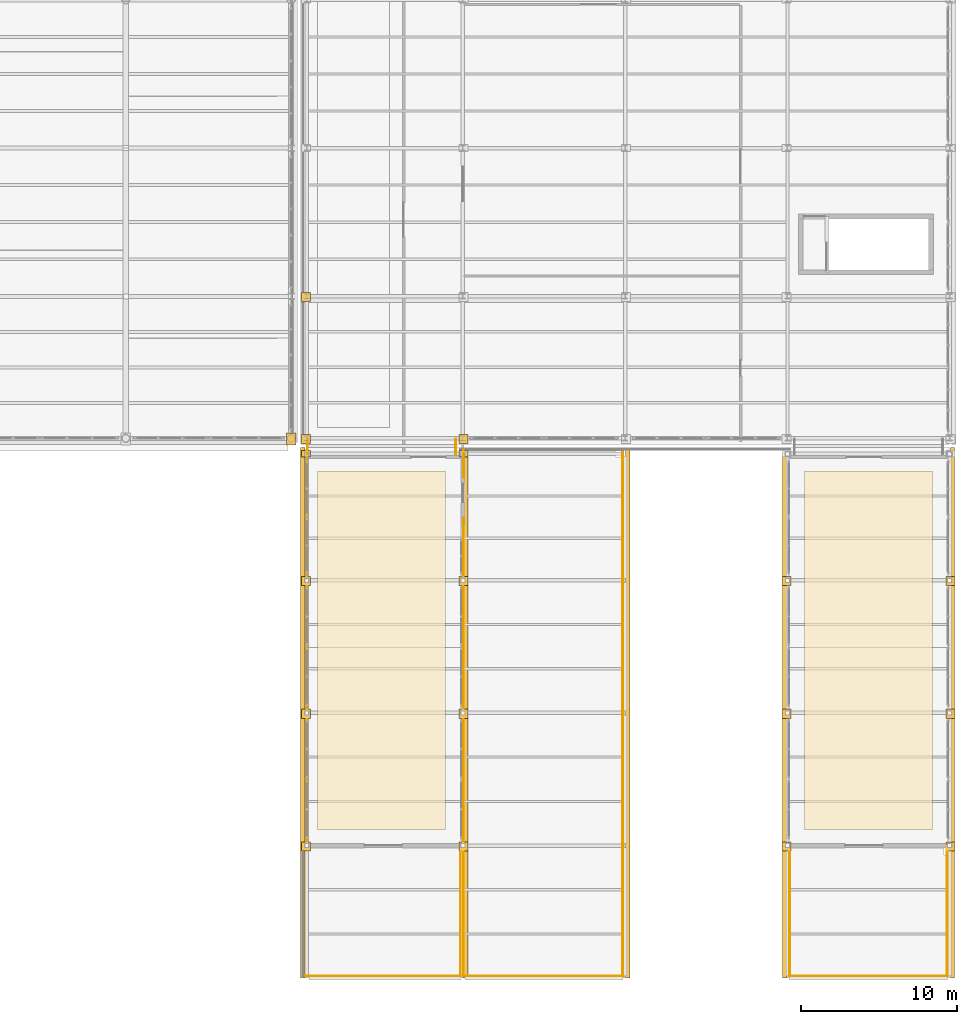
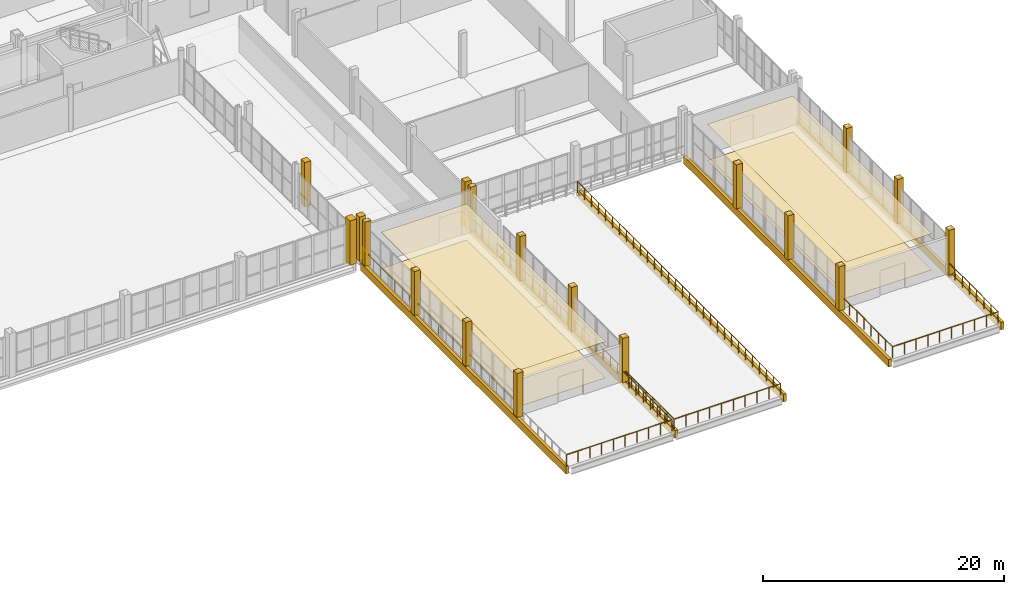
# One storey, part 150 of 156: 27 coverings, 12 railings.
"""IFC4 building model written with IfcOpenShell, lengths in metres."""

from ifc_helpers import new_model, si_unit, direction, frame, frame_2d, origin, origin_2d, place, context, subcontext, project, spatial, polyline, rectangle, circle, outline, extrude, material, layer, layer_set, type_object, element, save


model = new_model("IFC4")

# Units and contexts
model_context = context("Model", 3, precision=1e-05, world=origin(), true_north=direction((0.0, 1.0)))
body_context = subcontext(model_context, "Body", "Model", "MODEL_VIEW")
ifc_project = project(units=[si_unit("LENGTHUNIT", "METRE"), si_unit("AREAUNIT", "SQUARE_METRE"), si_unit("VOLUMEUNIT", "CUBIC_METRE"), si_unit("PLANEANGLEUNIT", "RADIAN"), si_unit("MASSUNIT", "GRAM", prefix="KILO")], contexts=[model_context])

# Site, building, storey
site_placement = place(None, origin())
site = spatial("IfcSite", under=ifc_project, at=site_placement, CompositionType="ELEMENT")
building_placement = place(site_placement, origin())
building = spatial("IfcBuilding", under=site, at=building_placement, Name="Caurita Quay Ferry Terminal", CompositionType="ELEMENT")
storey_placement = place(building_placement, frame((0.0, 0.0, 5.39990234375)))
storey = spatial("IfcBuildingStorey", under=building, at=storey_placement, Name="L01", CompositionType="ELEMENT", Elevation=5.39990234375)

# Coverings
ifc_material_1 = material(Name="Acoustic mineral fibre tile", Category="finish")
ifc_layer_1 = layer(ifc_material_1, 0.02001953125, Name="Acoustic mineral-fibre suspended ceiling 20 mm")
ifc_layer_set_1 = layer_set([ifc_layer_1], Name="Acoustic mineral fibre tile")
covering_type_1 = type_object("IfcCoveringType", Name="COV-CEIL-020", PredefinedType="CEILING", material=ifc_layer_set_1)
covering_1_placement = place(storey_placement, frame((0.0, 0.0, 3.670166015625)))
element("IfcCovering", 1, at=covering_1_placement, inside=storey, type_object=covering_type_1, Name="Berth 1 Enclosed Passenger Boarding Bridge Acoustic Ceiling", PredefinedType="CEILING", context=body_context, shape_type="SweptSolid", body=[
    extrude(outline(polyline([(133.5, 9.5), (141.699951171875, 9.5), (141.699951171875, 32.5), (133.5, 32.5), (133.5, 9.5)])), origin(), (0.0, 0.0, 1.0), 0.02001953125),
])
covering_2_placement = place(storey_placement, frame((0.0, 0.0, 3.670166015625)))
element("IfcCovering", 2, at=covering_2_placement, inside=storey, type_object=covering_type_1, Name="Berth 2 Enclosed Passenger Boarding Bridge Acoustic Ceiling", PredefinedType="CEILING", context=body_context, shape_type="SweptSolid", body=[
    extrude(outline(polyline([(164.699951171875, 9.5), (172.89990234375, 9.5), (172.89990234375, 32.5), (164.699951171875, 32.5), (164.699951171875, 9.5)])), origin(), (0.0, 0.0, 1.0), 0.02001953125),
])
ifc_material_2 = material(Name="Coral stone ashlar cladding", Category="masonry")
ifc_layer_2 = layer(ifc_material_2, 0.239990234375, Name="Classical coral-stone entablature and cornice moulding 240 mm")
ifc_layer_set_2 = layer_set([ifc_layer_2], Name="Coral stone ashlar cladding")
covering_type_2 = type_object("IfcCoveringType", Name="COV-ENT-MLD", PredefinedType="MOLDING", material=ifc_layer_set_2)
for number, where, z_axis, x_axis, name in (
    (3, (132.5400390625, 34.0, -0.699951171875), (0.0, 0.0, 1.0), (0.0, -1.0, 0.0), "L01 Classical Entablature Cornice 053"),
    (4, (142.97998046875, 0.0, -0.699951171875), (0.0, 0.0, 1.0), (0.0, 1.0, 0.0), "L01 Classical Entablature Cornice 054"),
    (5, (153.3798828125, 0.0, -0.699951171875), (0.0, 0.0, 1.0), (0.0, 1.0, 0.0), "L01 Classical Entablature Cornice 055"),
    (6, (163.419921875, 34.0, -0.699951171875), (0.0, 0.0, 1.0), (0.0, -1.0, 0.0), "L01 Classical Entablature Cornice 056"),
    (7, (174.179931640625, 0.0, -0.699951171875), (0.0, 0.0, 1.0), (0.0, 1.0, 0.0), "L01 Classical Entablature Cornice 057"),
):
    element("IfcCovering", number, at=place(storey_placement, frame(where, z_axis=z_axis, x_axis=x_axis)), inside=storey, type_object=covering_type_2, Name=name, PredefinedType="MOLDING", context=body_context, shape_type="SweptSolid", body=[
        extrude(rectangle(XDim=34.0, YDim=0.280029296875, at=frame_2d((17.0, 0.0))), origin(), (0.0, 0.0, 1.0), 0.760009765625),
    ])
ifc_material_3 = material(Name="Polished marine terrazzo tile", Category="finish")
ifc_layer_3 = layer(ifc_material_3, 0.02490234375, Name="Polished marine terrazzo floor finish 25 mm")
ifc_layer_set_3 = layer_set([ifc_layer_3], Name="Polished marine terrazzo tile")
covering_type_3 = type_object("IfcCoveringType", Name="COV-FLR-025", PredefinedType="FLOORING", material=ifc_layer_set_3)
covering_3_placement = place(storey_placement, origin())
element("IfcCovering", 8, at=covering_3_placement, inside=storey, type_object=covering_type_3, Name="Berth 1 Enclosed Passenger Boarding Bridge Terrazzo Flooring", PredefinedType="FLOORING", context=body_context, shape_type="SweptSolid", body=[
    extrude(outline(polyline([(133.5, 9.5), (141.699951171875, 9.5), (141.699951171875, 32.5), (133.5, 32.5), (133.5, 9.5)])), origin(), (0.0, 0.0, 1.0), 0.025146484375),
])
covering_4_placement = place(storey_placement, origin())
element("IfcCovering", 9, at=covering_4_placement, inside=storey, type_object=covering_type_3, Name="Berth 2 Enclosed Passenger Boarding Bridge Terrazzo Flooring", PredefinedType="FLOORING", context=body_context, shape_type="SweptSolid", body=[
    extrude(outline(polyline([(164.699951171875, 9.5), (172.89990234375, 9.5), (172.89990234375, 32.5), (164.699951171875, 32.5), (164.699951171875, 9.5)])), origin(), (0.0, 0.0, 1.0), 0.025146484375),
])
ifc_material_4 = material(Name="Warm-white lime stucco masonry", Category="masonry")
ifc_layer_4 = layer(ifc_material_4, 0.179931640625, Name="Classical engaged lime-stucco facade pilaster cladding 180 mm")
ifc_layer_set_4 = layer_set([ifc_layer_4], Name="Warm-white lime stucco masonry")
covering_type_4 = type_object("IfcCoveringType", Name="COV-PIL-CLD", PredefinedType="CLADDING", material=ifc_layer_set_4)
covering_5_placement = place(storey_placement, frame((131.800048828125, 34.550048828125, 0.0), z_axis=(0.0, 0.0, 1.0), x_axis=(1.0, 0.0, 0.0)))
element("IfcCovering", 10, at=covering_5_placement, inside=storey, type_object=covering_type_4, Name="L01 Classical Engaged Pilaster 0111", PredefinedType="CLADDING", context=body_context, shape_type="SweptSolid", body=[
    extrude(rectangle(XDim=0.6279296875, YDim=0.7880859375, at=origin_2d()), origin(), (0.0, 0.0, 1.0), 4.5),
])
for number, where, z_axis, x_axis, name in (
    (11, (132.75, 34.550048828125, 0.0), (0.0, 0.0, 1.0), (1.0, 0.0, 0.0), "L01 Classical Engaged Pilaster 0118"),
    (12, (132.75, 43.64990234375, 0.0), (0.0, 0.0, 1.0), (1.0, 0.0, 0.0), "L01 Classical Engaged Pilaster 0120"),
):
    element("IfcCovering", number, at=place(storey_placement, frame(where, z_axis=z_axis, x_axis=x_axis)), inside=storey, type_object=covering_type_4, Name=name, PredefinedType="CLADDING", context=body_context, shape_type="SweptSolid", body=[
        extrude(rectangle(XDim=0.584716796875, YDim=0.58740234375, at=origin_2d()), origin(), (0.0, 0.0, 1.0), 4.5),
    ])
for number, where, z_axis, x_axis, name in (
    (13, (132.75, 8.449951171875, 0.0), (0.0, 0.0, 1.0), (1.0, 0.0, 0.0), "L01 Classical Engaged Pilaster 0129"),
    (14, (132.75, 16.949951171875, 0.0), (0.0, 0.0, 1.0), (1.0, 0.0, 0.0), "L01 Classical Engaged Pilaster 0131"),
    (15, (132.75, 25.449951171875, 0.0), (0.0, 0.0, 1.0), (1.0, 0.0, 0.0), "L01 Classical Engaged Pilaster 0133"),
):
    element("IfcCovering", number, at=place(storey_placement, frame(where, z_axis=z_axis, x_axis=x_axis)), inside=storey, type_object=covering_type_4, Name=name, PredefinedType="CLADDING", context=body_context, shape_type="SweptSolid", body=[
        extrude(rectangle(XDim=0.584716796875, YDim=0.584716796875, at=origin_2d()), origin(), (0.0, 0.0, 1.0), 4.5),
    ])
covering_6_placement = place(storey_placement, frame((132.75, 33.60009765625, 0.0), z_axis=(0.0, 0.0, 1.0), x_axis=(1.0, 0.0, 0.0)))
element("IfcCovering", 16, at=covering_6_placement, inside=storey, type_object=covering_type_4, Name="L01 Classical Engaged Pilaster 0135", PredefinedType="CLADDING", context=body_context, shape_type="SweptSolid", body=[
    extrude(rectangle(XDim=0.584716796875, YDim=0.4248046875, at=origin_2d()), origin(), (0.0, 0.0, 1.0), 4.5),
])
covering_7_placement = place(storey_placement, frame((142.85009765625, 34.550048828125, 0.0), z_axis=(0.0, 0.0, 1.0), x_axis=(1.0, 0.0, 0.0)))
element("IfcCovering", 17, at=covering_7_placement, inside=storey, type_object=covering_type_4, Name="L01 Classical Engaged Pilaster 0137", PredefinedType="CLADDING", context=body_context, shape_type="SweptSolid", body=[
    extrude(rectangle(XDim=0.584716796875, YDim=0.58740234375, at=origin_2d()), origin(), (0.0, 0.0, 1.0), 4.5),
])
for number, where, z_axis, x_axis, name in (
    (18, (142.85009765625, 8.449951171875, 0.0), (0.0, 0.0, 1.0), (1.0, 0.0, 0.0), "L01 Classical Engaged Pilaster 0148"),
    (19, (142.85009765625, 16.949951171875, 0.0), (0.0, 0.0, 1.0), (1.0, 0.0, 0.0), "L01 Classical Engaged Pilaster 0150"),
    (20, (142.85009765625, 25.449951171875, 0.0), (0.0, 0.0, 1.0), (1.0, 0.0, 0.0), "L01 Classical Engaged Pilaster 0152"),
):
    element("IfcCovering", number, at=place(storey_placement, frame(where, z_axis=z_axis, x_axis=x_axis)), inside=storey, type_object=covering_type_4, Name=name, PredefinedType="CLADDING", context=body_context, shape_type="SweptSolid", body=[
        extrude(rectangle(XDim=0.584716796875, YDim=0.584716796875, at=origin_2d()), origin(), (0.0, 0.0, 1.0), 4.5),
    ])
covering_8_placement = place(storey_placement, frame((142.85009765625, 33.60009765625, 0.0), z_axis=(0.0, 0.0, 1.0), x_axis=(1.0, 0.0, 0.0)))
element("IfcCovering", 21, at=covering_8_placement, inside=storey, type_object=covering_type_4, Name="L01 Classical Engaged Pilaster 0154", PredefinedType="CLADDING", context=body_context, shape_type="SweptSolid", body=[
    extrude(rectangle(XDim=0.584716796875, YDim=0.4248046875, at=origin_2d()), origin(), (0.0, 0.0, 1.0), 4.5),
])
for number, where, z_axis, x_axis, name in (
    (22, (163.550048828125, 8.449951171875, 0.0), (0.0, 0.0, 1.0), (1.0, 0.0, 0.0), "L01 Classical Engaged Pilaster 0182"),
    (23, (163.550048828125, 16.949951171875, 0.0), (0.0, 0.0, 1.0), (1.0, 0.0, 0.0), "L01 Classical Engaged Pilaster 0184"),
    (24, (163.550048828125, 25.449951171875, 0.0), (0.0, 0.0, 1.0), (1.0, 0.0, 0.0), "L01 Classical Engaged Pilaster 0186"),
    (25, (174.050048828125, 8.449951171875, 0.0), (0.0, 0.0, 1.0), (1.0, 0.0, 0.0), "L01 Classical Engaged Pilaster 0201"),
    (26, (174.050048828125, 16.949951171875, 0.0), (0.0, 0.0, 1.0), (1.0, 0.0, 0.0), "L01 Classical Engaged Pilaster 0203"),
    (27, (174.050048828125, 25.449951171875, 0.0), (0.0, 0.0, 1.0), (1.0, 0.0, 0.0), "L01 Classical Engaged Pilaster 0205"),
):
    element("IfcCovering", number, at=place(storey_placement, frame(where, z_axis=z_axis, x_axis=x_axis)), inside=storey, type_object=covering_type_4, Name=name, PredefinedType="CLADDING", context=body_context, shape_type="SweptSolid", body=[
        extrude(rectangle(XDim=0.584716796875, YDim=0.584716796875, at=origin_2d()), origin(), (0.0, 0.0, 1.0), 4.5),
    ])

# Railings
ifc_material_5 = material(Name="Bronze architectural metalwork", Category="metal")
railing_type = type_object("IfcRailingType", Name="RL-REJA-115", PredefinedType="BALUSTRADE", material=ifc_material_5)
railing_1_placement = place(storey_placement, frame((132.550048828125, 0.14990234375, 0.0)))
element("IfcRailing", 28, at=railing_1_placement, inside=storey, type_object=railing_type, Name="Berth 1 Observation Deck Balustrade (023)", PredefinedType="BALUSTRADE", context=body_context, shape_type="SweptSolid", body=[
    extrude(circle(Radius=0.02392578125, at=origin_2d()), frame((0.0, 0.0, 1.1259765625), z_axis=(1.0, 0.0, 0.0), x_axis=(0.0, 1.0, 0.0)), (0.0, 0.0, 1.0), 10.099853515625),
    extrude(circle(Radius=0.02099609375, at=origin_2d()), origin(), (0.0, 0.0, 1.0), 1.101806640625),
    extrude(circle(Radius=0.02099609375, at=origin_2d()), frame((1.122314453125, 0.0, 0.0)), (0.0, 0.0, 1.0), 1.101806640625),
    extrude(circle(Radius=0.02099609375, at=origin_2d()), frame((2.244384765625, 0.0, 0.0)), (0.0, 0.0, 1.0), 1.101806640625),
    extrude(circle(Radius=0.02099609375, at=origin_2d()), frame((3.36669921875, 0.0, 0.0)), (0.0, 0.0, 1.0), 1.101806640625),
    extrude(circle(Radius=0.02099609375, at=origin_2d()), frame((4.48876953125, 0.0, 0.0)), (0.0, 0.0, 1.0), 1.101806640625),
    extrude(circle(Radius=0.02099609375, at=origin_2d()), frame((5.611083984375, 0.0, 0.0)), (0.0, 0.0, 1.0), 1.101806640625),
    extrude(circle(Radius=0.02099609375, at=origin_2d()), frame((6.733154296875, 0.0, 0.0)), (0.0, 0.0, 1.0), 1.101806640625),
    extrude(circle(Radius=0.02099609375, at=origin_2d()), frame((7.85546875, 0.0, 0.0)), (0.0, 0.0, 1.0), 1.101806640625),
    extrude(circle(Radius=0.02099609375, at=origin_2d()), frame((8.9775390625, 0.0, 0.0)), (0.0, 0.0, 1.0), 1.101806640625),
    extrude(circle(Radius=0.02099609375, at=origin_2d()), frame((10.099853515625, 0.0, 0.0)), (0.0, 0.0, 1.0), 1.101806640625),
])
railing_2_placement = place(storey_placement, frame((142.64990234375, 0.14990234375, 0.0)))
element("IfcRailing", 29, at=railing_2_placement, inside=storey, type_object=railing_type, Name="Berth 1 Observation Deck Balustrade (024)", PredefinedType="BALUSTRADE", context=body_context, shape_type="SweptSolid", body=[
    extrude(circle(Radius=0.02392578125, at=origin_2d()), frame((0.0, 0.0, 1.1259765625), z_axis=(0.0, 1.0, 0.0), x_axis=(-1.0, 0.0, 0.0)), (0.0, 0.0, 1.0), 8.300048828125),
    extrude(circle(Radius=0.02099609375, at=origin_2d()), origin(), (0.0, 0.0, 1.0), 1.101806640625),
    extrude(circle(Radius=0.02099609375, at=origin_2d()), frame((0.0, 1.185791015625, 0.0)), (0.0, 0.0, 1.0), 1.101806640625),
    extrude(circle(Radius=0.02099609375, at=origin_2d()), frame((0.0, 2.371337890625, 0.0)), (0.0, 0.0, 1.0), 1.101806640625),
    extrude(circle(Radius=0.02099609375, at=origin_2d()), frame((0.0, 3.55712890625, 0.0)), (0.0, 0.0, 1.0), 1.101806640625),
    extrude(circle(Radius=0.02099609375, at=origin_2d()), frame((0.0, 4.742919921875, 0.0)), (0.0, 0.0, 1.0), 1.101806640625),
    extrude(circle(Radius=0.02099609375, at=origin_2d()), frame((0.0, 5.9287109375, 0.0)), (0.0, 0.0, 1.0), 1.101806640625),
    extrude(circle(Radius=0.02099609375, at=origin_2d()), frame((0.0, 7.1142578125, 0.0)), (0.0, 0.0, 1.0), 1.101806640625),
    extrude(circle(Radius=0.02099609375, at=origin_2d()), frame((0.0, 8.300048828125, 0.0)), (0.0, 0.0, 1.0), 1.101806640625),
])
railing_3_placement = place(storey_placement, frame((163.75, 8.449951171875, 0.0)))
element("IfcRailing", 30, at=railing_3_placement, inside=storey, type_object=railing_type, Name="Berth 2 Observation Deck Balustrade (025)", PredefinedType="BALUSTRADE", context=body_context, shape_type="SweptSolid", body=[
    extrude(circle(Radius=0.02392578125, at=origin_2d()), frame((0.0, 0.0, 1.1259765625), z_axis=(0.0, -1.0, 0.0), x_axis=(1.0, 0.0, 0.0)), (0.0, 0.0, 1.0), 8.300048828125),
    extrude(circle(Radius=0.02099609375, at=origin_2d()), origin(), (0.0, 0.0, 1.0), 1.101806640625),
    extrude(circle(Radius=0.02099609375, at=origin_2d()), frame((0.0, -1.185791015625, 0.0)), (0.0, 0.0, 1.0), 1.101806640625),
    extrude(circle(Radius=0.02099609375, at=origin_2d()), frame((0.0, -2.371337890625, 0.0)), (0.0, 0.0, 1.0), 1.101806640625),
    extrude(circle(Radius=0.02099609375, at=origin_2d()), frame((0.0, -3.55712890625, 0.0)), (0.0, 0.0, 1.0), 1.101806640625),
    extrude(circle(Radius=0.02099609375, at=origin_2d()), frame((0.0, -4.742919921875, 0.0)), (0.0, 0.0, 1.0), 1.101806640625),
    extrude(circle(Radius=0.02099609375, at=origin_2d()), frame((0.0, -5.9287109375, 0.0)), (0.0, 0.0, 1.0), 1.101806640625),
    extrude(circle(Radius=0.02099609375, at=origin_2d()), frame((0.0, -7.1142578125, 0.0)), (0.0, 0.0, 1.0), 1.101806640625),
    extrude(circle(Radius=0.02099609375, at=origin_2d()), frame((0.0, -8.300048828125, 0.0)), (0.0, 0.0, 1.0), 1.101806640625),
])
railing_4_placement = place(storey_placement, frame((163.75, 0.14990234375, 0.0)))
element("IfcRailing", 31, at=railing_4_placement, inside=storey, type_object=railing_type, Name="Berth 2 Observation Deck Balustrade (026)", PredefinedType="BALUSTRADE", context=body_context, shape_type="SweptSolid", body=[
    extrude(circle(Radius=0.02392578125, at=origin_2d()), frame((0.0, 0.0, 1.1259765625), z_axis=(1.0, 0.0, 0.0), x_axis=(0.0, 1.0, 0.0)), (0.0, 0.0, 1.0), 10.10009765625),
    extrude(circle(Radius=0.02099609375, at=origin_2d()), origin(), (0.0, 0.0, 1.0), 1.101806640625),
    extrude(circle(Radius=0.02099609375, at=origin_2d()), frame((1.122314453125, 0.0, 0.0)), (0.0, 0.0, 1.0), 1.101806640625),
    extrude(circle(Radius=0.02099609375, at=origin_2d()), frame((2.244384765625, 0.0, 0.0)), (0.0, 0.0, 1.0), 1.101806640625),
    extrude(circle(Radius=0.02099609375, at=origin_2d()), frame((3.36669921875, 0.0, 0.0)), (0.0, 0.0, 1.0), 1.101806640625),
    extrude(circle(Radius=0.02099609375, at=origin_2d()), frame((4.489013671875, 0.0, 0.0)), (0.0, 0.0, 1.0), 1.101806640625),
    extrude(circle(Radius=0.02099609375, at=origin_2d()), frame((5.611083984375, 0.0, 0.0)), (0.0, 0.0, 1.0), 1.101806640625),
    extrude(circle(Radius=0.02099609375, at=origin_2d()), frame((6.7333984375, 0.0, 0.0)), (0.0, 0.0, 1.0), 1.101806640625),
    extrude(circle(Radius=0.02099609375, at=origin_2d()), frame((7.855712890625, 0.0, 0.0)), (0.0, 0.0, 1.0), 1.101806640625),
    extrude(circle(Radius=0.02099609375, at=origin_2d()), frame((8.977783203125, 0.0, 0.0)), (0.0, 0.0, 1.0), 1.101806640625),
    extrude(circle(Radius=0.02099609375, at=origin_2d()), frame((10.10009765625, 0.0, 0.0)), (0.0, 0.0, 1.0), 1.101806640625),
])
railing_5_placement = place(storey_placement, frame((173.85009765625, 0.14990234375, 0.0)))
element("IfcRailing", 32, at=railing_5_placement, inside=storey, type_object=railing_type, Name="Berth 2 Observation Deck Balustrade (027)", PredefinedType="BALUSTRADE", context=body_context, shape_type="SweptSolid", body=[
    extrude(circle(Radius=0.02392578125, at=origin_2d()), frame((0.0, 0.0, 1.1259765625), z_axis=(0.0, 1.0, 0.0), x_axis=(-1.0, 0.0, 0.0)), (0.0, 0.0, 1.0), 8.300048828125),
    extrude(circle(Radius=0.02099609375, at=origin_2d()), origin(), (0.0, 0.0, 1.0), 1.101806640625),
    extrude(circle(Radius=0.02099609375, at=origin_2d()), frame((0.0, 1.185791015625, 0.0)), (0.0, 0.0, 1.0), 1.101806640625),
    extrude(circle(Radius=0.02099609375, at=origin_2d()), frame((0.0, 2.371337890625, 0.0)), (0.0, 0.0, 1.0), 1.101806640625),
    extrude(circle(Radius=0.02099609375, at=origin_2d()), frame((0.0, 3.55712890625, 0.0)), (0.0, 0.0, 1.0), 1.101806640625),
    extrude(circle(Radius=0.02099609375, at=origin_2d()), frame((0.0, 4.742919921875, 0.0)), (0.0, 0.0, 1.0), 1.101806640625),
    extrude(circle(Radius=0.02099609375, at=origin_2d()), frame((0.0, 5.9287109375, 0.0)), (0.0, 0.0, 1.0), 1.101806640625),
    extrude(circle(Radius=0.02099609375, at=origin_2d()), frame((0.0, 7.1142578125, 0.0)), (0.0, 0.0, 1.0), 1.101806640625),
    extrude(circle(Radius=0.02099609375, at=origin_2d()), frame((0.0, 8.300048828125, 0.0)), (0.0, 0.0, 1.0), 1.101806640625),
])
railing_6_placement = place(storey_placement, frame((142.85009765625, 29.5, 0.0)))
element("IfcRailing", 33, at=railing_6_placement, inside=storey, type_object=railing_type, Name="Berth 1 Side Deck Balustrade (028)", PredefinedType="BALUSTRADE", context=body_context, shape_type="SweptSolid", body=[
    extrude(circle(Radius=0.02392578125, at=origin_2d()), frame((0.0, 0.0, 1.1259765625), z_axis=(0.0, -1.0, 0.0), x_axis=(1.0, 0.0, 0.0)), (0.0, 0.0, 1.0), 29.35009765625),
    extrude(circle(Radius=0.02099609375, at=origin_2d()), origin(), (0.0, 0.0, 1.0), 1.101806640625),
    extrude(circle(Radius=0.02099609375, at=origin_2d()), frame((0.0, -1.174072265625, 0.0)), (0.0, 0.0, 1.0), 1.101806640625),
    extrude(circle(Radius=0.02099609375, at=origin_2d()), frame((0.0, -2.347900390625, 0.0)), (0.0, 0.0, 1.0), 1.101806640625),
    extrude(circle(Radius=0.02099609375, at=origin_2d()), frame((0.0, -3.52197265625, 0.0)), (0.0, 0.0, 1.0), 1.101806640625),
    extrude(circle(Radius=0.02099609375, at=origin_2d()), frame((0.0, -4.696044921875, 0.0)), (0.0, 0.0, 1.0), 1.101806640625),
    extrude(circle(Radius=0.02099609375, at=origin_2d()), frame((0.0, -5.8701171875, 0.0)), (0.0, 0.0, 1.0), 1.101806640625),
    extrude(circle(Radius=0.02099609375, at=origin_2d()), frame((0.0, -7.0439453125, 0.0)), (0.0, 0.0, 1.0), 1.101806640625),
    extrude(circle(Radius=0.02099609375, at=origin_2d()), frame((0.0, -8.218017578125, 0.0)), (0.0, 0.0, 1.0), 1.101806640625),
    extrude(circle(Radius=0.02099609375, at=origin_2d()), frame((0.0, -9.39208984375, 0.0)), (0.0, 0.0, 1.0), 1.101806640625),
    extrude(circle(Radius=0.02099609375, at=origin_2d()), frame((0.0, -10.56591796875, 0.0)), (0.0, 0.0, 1.0), 1.101806640625),
    extrude(circle(Radius=0.02099609375, at=origin_2d()), frame((0.0, -11.739990234375, 0.0)), (0.0, 0.0, 1.0), 1.101806640625),
    extrude(circle(Radius=0.02099609375, at=origin_2d()), frame((0.0, -12.9140625, 0.0)), (0.0, 0.0, 1.0), 1.101806640625),
    extrude(circle(Radius=0.02099609375, at=origin_2d()), frame((0.0, -14.088134765625, 0.0)), (0.0, 0.0, 1.0), 1.101806640625),
    extrude(circle(Radius=0.02099609375, at=origin_2d()), frame((0.0, -15.261962890625, 0.0)), (0.0, 0.0, 1.0), 1.101806640625),
    extrude(circle(Radius=0.02099609375, at=origin_2d()), frame((0.0, -16.43603515625, 0.0)), (0.0, 0.0, 1.0), 1.101806640625),
    extrude(circle(Radius=0.02099609375, at=origin_2d()), frame((0.0, -17.610107421875, 0.0)), (0.0, 0.0, 1.0), 1.101806640625),
    extrude(circle(Radius=0.02099609375, at=origin_2d()), frame((0.0, -18.7841796875, 0.0)), (0.0, 0.0, 1.0), 1.101806640625),
    extrude(circle(Radius=0.02099609375, at=origin_2d()), frame((0.0, -19.9580078125, 0.0)), (0.0, 0.0, 1.0), 1.101806640625),
    extrude(circle(Radius=0.02099609375, at=origin_2d()), frame((0.0, -21.132080078125, 0.0)), (0.0, 0.0, 1.0), 1.101806640625),
    extrude(circle(Radius=0.02099609375, at=origin_2d()), frame((0.0, -22.30615234375, 0.0)), (0.0, 0.0, 1.0), 1.101806640625),
    extrude(circle(Radius=0.02099609375, at=origin_2d()), frame((0.0, -23.47998046875, 0.0)), (0.0, 0.0, 1.0), 1.101806640625),
    extrude(circle(Radius=0.02099609375, at=origin_2d()), frame((0.0, -24.654052734375, 0.0)), (0.0, 0.0, 1.0), 1.101806640625),
    extrude(circle(Radius=0.02099609375, at=origin_2d()), frame((0.0, -25.828125, 0.0)), (0.0, 0.0, 1.0), 1.101806640625),
    extrude(circle(Radius=0.02099609375, at=origin_2d()), frame((0.0, -27.002197265625, 0.0)), (0.0, 0.0, 1.0), 1.101806640625),
    extrude(circle(Radius=0.02099609375, at=origin_2d()), frame((0.0, -28.176025390625, 0.0)), (0.0, 0.0, 1.0), 1.101806640625),
    extrude(circle(Radius=0.02099609375, at=origin_2d()), frame((0.0, -29.35009765625, 0.0)), (0.0, 0.0, 1.0), 1.101806640625),
])
railing_7_placement = place(storey_placement, frame((142.85009765625, 0.14990234375, 0.0)))
element("IfcRailing", 34, at=railing_7_placement, inside=storey, type_object=railing_type, Name="Berth 1 Side Deck Balustrade (029)", PredefinedType="BALUSTRADE", context=body_context, shape_type="SweptSolid", body=[
    extrude(circle(Radius=0.02392578125, at=origin_2d()), frame((0.0, 0.0, 1.1259765625), z_axis=(1.0, 0.0, 0.0), x_axis=(0.0, 1.0, 0.0)), (0.0, 0.0, 1.0), 10.199951171875),
    extrude(circle(Radius=0.02099609375, at=origin_2d()), origin(), (0.0, 0.0, 1.0), 1.101806640625),
    extrude(circle(Radius=0.02099609375, at=origin_2d()), frame((1.13330078125, 0.0, 0.0)), (0.0, 0.0, 1.0), 1.101806640625),
    extrude(circle(Radius=0.02099609375, at=origin_2d()), frame((2.2666015625, 0.0, 0.0)), (0.0, 0.0, 1.0), 1.101806640625),
    extrude(circle(Radius=0.02099609375, at=origin_2d()), frame((3.39990234375, 0.0, 0.0)), (0.0, 0.0, 1.0), 1.101806640625),
    extrude(circle(Radius=0.02099609375, at=origin_2d()), frame((4.533203125, 0.0, 0.0)), (0.0, 0.0, 1.0), 1.101806640625),
    extrude(circle(Radius=0.02099609375, at=origin_2d()), frame((5.666748046875, 0.0, 0.0)), (0.0, 0.0, 1.0), 1.101806640625),
    extrude(circle(Radius=0.02099609375, at=origin_2d()), frame((6.800048828125, 0.0, 0.0)), (0.0, 0.0, 1.0), 1.101806640625),
    extrude(circle(Radius=0.02099609375, at=origin_2d()), frame((7.933349609375, 0.0, 0.0)), (0.0, 0.0, 1.0), 1.101806640625),
    extrude(circle(Radius=0.02099609375, at=origin_2d()), frame((9.066650390625, 0.0, 0.0)), (0.0, 0.0, 1.0), 1.101806640625),
    extrude(circle(Radius=0.02099609375, at=origin_2d()), frame((10.199951171875, 0.0, 0.0)), (0.0, 0.0, 1.0), 1.101806640625),
])
railing_8_placement = place(storey_placement, frame((153.050048828125, 0.14990234375, 0.0)))
element("IfcRailing", 35, at=railing_8_placement, inside=storey, type_object=railing_type, Name="Berth 1 Side Deck Balustrade (030)", PredefinedType="BALUSTRADE", context=body_context, shape_type="SweptSolid", body=[
    extrude(circle(Radius=0.02392578125, at=origin_2d()), frame((0.0, 0.0, 1.1259765625), z_axis=(0.0, 1.0, 0.0), x_axis=(-1.0, 0.0, 0.0)), (0.0, 0.0, 1.0), 33.7001953125),
    extrude(circle(Radius=0.02099609375, at=origin_2d()), origin(), (0.0, 0.0, 1.0), 1.101806640625),
    extrude(circle(Radius=0.02099609375, at=origin_2d()), frame((0.0, 1.162109375, 0.0)), (0.0, 0.0, 1.0), 1.101806640625),
    extrude(circle(Radius=0.02099609375, at=origin_2d()), frame((0.0, 2.32421875, 0.0)), (0.0, 0.0, 1.0), 1.101806640625),
    extrude(circle(Radius=0.02099609375, at=origin_2d()), frame((0.0, 3.486328125, 0.0)), (0.0, 0.0, 1.0), 1.101806640625),
    extrude(circle(Radius=0.02099609375, at=origin_2d()), frame((0.0, 4.648193359375, 0.0)), (0.0, 0.0, 1.0), 1.101806640625),
    extrude(circle(Radius=0.02099609375, at=origin_2d()), frame((0.0, 5.810302734375, 0.0)), (0.0, 0.0, 1.0), 1.101806640625),
    extrude(circle(Radius=0.02099609375, at=origin_2d()), frame((0.0, 6.972412109375, 0.0)), (0.0, 0.0, 1.0), 1.101806640625),
    extrude(circle(Radius=0.02099609375, at=origin_2d()), frame((0.0, 8.134521484375, 0.0)), (0.0, 0.0, 1.0), 1.101806640625),
    extrude(circle(Radius=0.02099609375, at=origin_2d()), frame((0.0, 9.296630859375, 0.0)), (0.0, 0.0, 1.0), 1.101806640625),
    extrude(circle(Radius=0.02099609375, at=origin_2d()), frame((0.0, 10.458740234375, 0.0)), (0.0, 0.0, 1.0), 1.101806640625),
    extrude(circle(Radius=0.02099609375, at=origin_2d()), frame((0.0, 11.620849609375, 0.0)), (0.0, 0.0, 1.0), 1.101806640625),
    extrude(circle(Radius=0.02099609375, at=origin_2d()), frame((0.0, 12.78271484375, 0.0)), (0.0, 0.0, 1.0), 1.101806640625),
    extrude(circle(Radius=0.02099609375, at=origin_2d()), frame((0.0, 13.94482421875, 0.0)), (0.0, 0.0, 1.0), 1.101806640625),
    extrude(circle(Radius=0.02099609375, at=origin_2d()), frame((0.0, 15.10693359375, 0.0)), (0.0, 0.0, 1.0), 1.101806640625),
    extrude(circle(Radius=0.02099609375, at=origin_2d()), frame((0.0, 16.26904296875, 0.0)), (0.0, 0.0, 1.0), 1.101806640625),
    extrude(circle(Radius=0.02099609375, at=origin_2d()), frame((0.0, 17.43115234375, 0.0)), (0.0, 0.0, 1.0), 1.101806640625),
    extrude(circle(Radius=0.02099609375, at=origin_2d()), frame((0.0, 18.59326171875, 0.0)), (0.0, 0.0, 1.0), 1.101806640625),
    extrude(circle(Radius=0.02099609375, at=origin_2d()), frame((0.0, 19.75537109375, 0.0)), (0.0, 0.0, 1.0), 1.101806640625),
    extrude(circle(Radius=0.02099609375, at=origin_2d()), frame((0.0, 20.91748046875, 0.0)), (0.0, 0.0, 1.0), 1.101806640625),
    extrude(circle(Radius=0.02099609375, at=origin_2d()), frame((0.0, 22.079345703125, 0.0)), (0.0, 0.0, 1.0), 1.101806640625),
    extrude(circle(Radius=0.02099609375, at=origin_2d()), frame((0.0, 23.241455078125, 0.0)), (0.0, 0.0, 1.0), 1.101806640625),
    extrude(circle(Radius=0.02099609375, at=origin_2d()), frame((0.0, 24.403564453125, 0.0)), (0.0, 0.0, 1.0), 1.101806640625),
    extrude(circle(Radius=0.02099609375, at=origin_2d()), frame((0.0, 25.565673828125, 0.0)), (0.0, 0.0, 1.0), 1.101806640625),
    extrude(circle(Radius=0.02099609375, at=origin_2d()), frame((0.0, 26.727783203125, 0.0)), (0.0, 0.0, 1.0), 1.101806640625),
    extrude(circle(Radius=0.02099609375, at=origin_2d()), frame((0.0, 27.889892578125, 0.0)), (0.0, 0.0, 1.0), 1.101806640625),
    extrude(circle(Radius=0.02099609375, at=origin_2d()), frame((0.0, 29.052001953125, 0.0)), (0.0, 0.0, 1.0), 1.101806640625),
    extrude(circle(Radius=0.02099609375, at=origin_2d()), frame((0.0, 30.2138671875, 0.0)), (0.0, 0.0, 1.0), 1.101806640625),
    extrude(circle(Radius=0.02099609375, at=origin_2d()), frame((0.0, 31.3759765625, 0.0)), (0.0, 0.0, 1.0), 1.101806640625),
    extrude(circle(Radius=0.02099609375, at=origin_2d()), frame((0.0, 32.5380859375, 0.0)), (0.0, 0.0, 1.0), 1.101806640625),
    extrude(circle(Radius=0.02099609375, at=origin_2d()), frame((0.0, 33.7001953125, 0.0)), (0.0, 0.0, 1.0), 1.101806640625),
])
railing_9_placement = place(storey_placement, frame((142.85009765625, 33.85009765625, 0.0)))
element("IfcRailing", 36, at=railing_9_placement, inside=storey, type_object=railing_type, Name="Berth 1 Side Deck Balustrade (032)", PredefinedType="BALUSTRADE", context=body_context, shape_type="SweptSolid", body=[
    extrude(circle(Radius=0.02392578125, at=origin_2d()), frame((0.0, 0.0, 1.1259765625), z_axis=(0.0, -1.0, 0.0), x_axis=(1.0, 0.0, 0.0)), (0.0, 0.0, 1.0), 1.75),
    extrude(circle(Radius=0.02099609375, at=origin_2d()), origin(), (0.0, 0.0, 1.0), 1.101806640625),
    extrude(circle(Radius=0.02099609375, at=origin_2d()), frame((0.0, -0.875, 0.0)), (0.0, 0.0, 1.0), 1.101806640625),
    extrude(circle(Radius=0.02099609375, at=origin_2d()), frame((0.0, -1.75, 0.0)), (0.0, 0.0, 1.0), 1.101806640625),
])
for number, where, name in (
    (37, (132.85009765625, 33.60009765625, 0.0), "L01 SJ3 Gangway Bridge Side Guard W (061)"),
    (38, (142.35009765625, 33.60009765625, 0.0), "L01 SJ3 Gangway Bridge Side Guard E (062)"),
):
    element("IfcRailing", number, at=place(storey_placement, frame(where)), inside=storey, type_object=railing_type, Name=name, PredefinedType="BALUSTRADE", context=body_context, shape_type="SweptSolid", body=[
        extrude(circle(Radius=0.02392578125, at=origin_2d()), frame((0.0, 0.0, 1.1259765625), z_axis=(0.0, 1.0, 0.0), x_axis=(-1.0, 0.0, 0.0)), (0.0, 0.0, 1.0), 0.949951171875),
        extrude(circle(Radius=0.02099609375, at=origin_2d()), origin(), (0.0, 0.0, 1.0), 1.101806640625),
        extrude(circle(Radius=0.02099609375, at=origin_2d()), frame((0.0, 0.949951171875, 0.0)), (0.0, 0.0, 1.0), 1.101806640625),
    ])
railing_10_placement = place(storey_placement, frame((132.820068359375, 8.60009765625, 0.0)))
element("IfcRailing", 39, at=railing_10_placement, inside=storey, type_object=railing_type, Name="L01 Berth 1 Gangway West Guard (104)", PredefinedType="BALUSTRADE", context=body_context, shape_type="SweptSolid", body=[
    extrude(circle(Radius=0.02392578125, at=origin_2d()), frame((0.0, 0.0, 1.1259765625), z_axis=(0.0, 1.0, 0.0), x_axis=(-1.0, 0.0, 0.0)), (0.0, 0.0, 1.0), 25.199951171875),
    extrude(circle(Radius=0.02099609375, at=origin_2d()), origin(), (0.0, 0.0, 1.0), 1.101806640625),
    extrude(circle(Radius=0.02099609375, at=origin_2d()), frame((0.0, 1.199951171875, 0.0)), (0.0, 0.0, 1.0), 1.101806640625),
    extrude(circle(Radius=0.02099609375, at=origin_2d()), frame((0.0, 2.39990234375, 0.0)), (0.0, 0.0, 1.0), 1.101806640625),
    extrude(circle(Radius=0.02099609375, at=origin_2d()), frame((0.0, 3.60009765625, 0.0)), (0.0, 0.0, 1.0), 1.101806640625),
    extrude(circle(Radius=0.02099609375, at=origin_2d()), frame((0.0, 4.800048828125, 0.0)), (0.0, 0.0, 1.0), 1.101806640625),
    extrude(circle(Radius=0.02099609375, at=origin_2d()), frame((0.0, 6.0, 0.0)), (0.0, 0.0, 1.0), 1.101806640625),
    extrude(circle(Radius=0.02099609375, at=origin_2d()), frame((0.0, 7.199951171875, 0.0)), (0.0, 0.0, 1.0), 1.101806640625),
    extrude(circle(Radius=0.02099609375, at=origin_2d()), frame((0.0, 8.39990234375, 0.0)), (0.0, 0.0, 1.0), 1.101806640625),
    extrude(circle(Radius=0.02099609375, at=origin_2d()), frame((0.0, 9.60009765625, 0.0)), (0.0, 0.0, 1.0), 1.101806640625),
    extrude(circle(Radius=0.02099609375, at=origin_2d()), frame((0.0, 10.800048828125, 0.0)), (0.0, 0.0, 1.0), 1.101806640625),
    extrude(circle(Radius=0.02099609375, at=origin_2d()), frame((0.0, 12.0, 0.0)), (0.0, 0.0, 1.0), 1.101806640625),
    extrude(circle(Radius=0.02099609375, at=origin_2d()), frame((0.0, 13.199951171875, 0.0)), (0.0, 0.0, 1.0), 1.101806640625),
    extrude(circle(Radius=0.02099609375, at=origin_2d()), frame((0.0, 14.39990234375, 0.0)), (0.0, 0.0, 1.0), 1.101806640625),
    extrude(circle(Radius=0.02099609375, at=origin_2d()), frame((0.0, 15.599853515625, 0.0)), (0.0, 0.0, 1.0), 1.101806640625),
    extrude(circle(Radius=0.02099609375, at=origin_2d()), frame((0.0, 16.800048828125, 0.0)), (0.0, 0.0, 1.0), 1.101806640625),
    extrude(circle(Radius=0.02099609375, at=origin_2d()), frame((0.0, 18.0, 0.0)), (0.0, 0.0, 1.0), 1.101806640625),
    extrude(circle(Radius=0.02099609375, at=origin_2d()), frame((0.0, 19.199951171875, 0.0)), (0.0, 0.0, 1.0), 1.101806640625),
    extrude(circle(Radius=0.02099609375, at=origin_2d()), frame((0.0, 20.39990234375, 0.0)), (0.0, 0.0, 1.0), 1.101806640625),
    extrude(circle(Radius=0.02099609375, at=origin_2d()), frame((0.0, 21.599853515625, 0.0)), (0.0, 0.0, 1.0), 1.101806640625),
    extrude(circle(Radius=0.02099609375, at=origin_2d()), frame((0.0, 22.800048828125, 0.0)), (0.0, 0.0, 1.0), 1.101806640625),
    extrude(circle(Radius=0.02099609375, at=origin_2d()), frame((0.0, 24.0, 0.0)), (0.0, 0.0, 1.0), 1.101806640625),
    extrude(circle(Radius=0.02099609375, at=origin_2d()), frame((0.0, 25.199951171875, 0.0)), (0.0, 0.0, 1.0), 1.101806640625),
])

save(model, "model.ifc")
